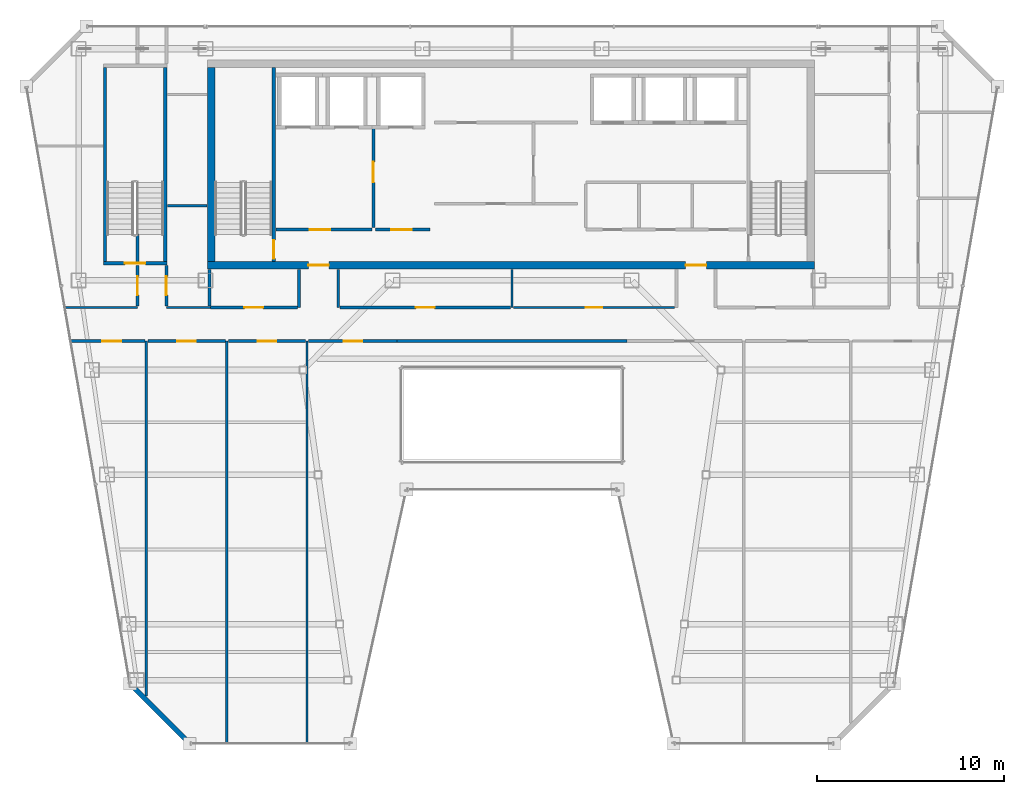
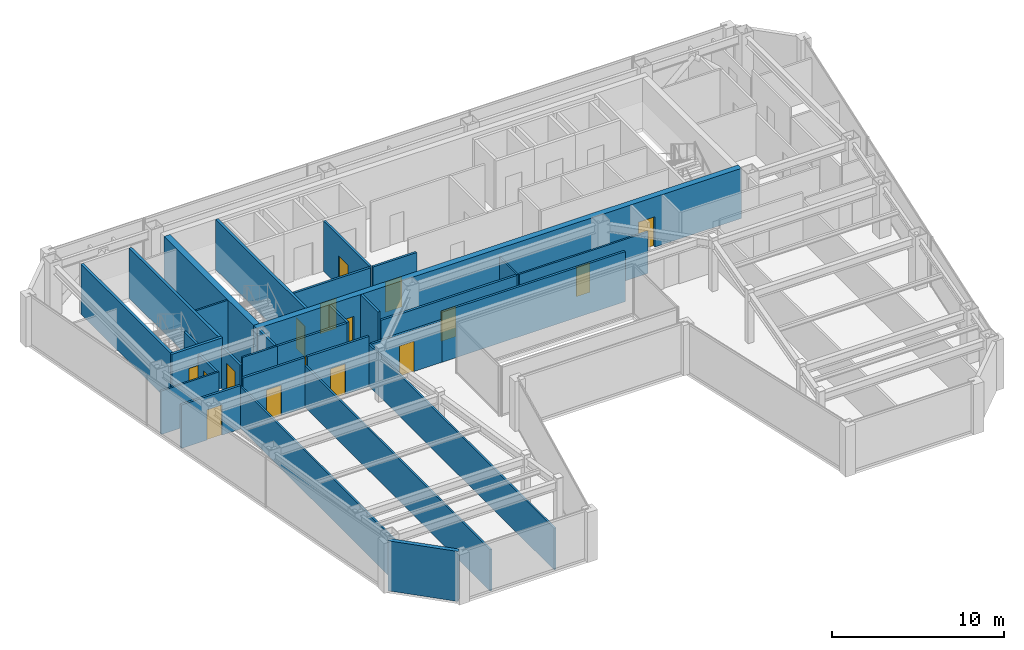
# One storey, part 26 of 33: 31 walls, 16 doors, 16 openings.
"""IFC4 building model written with IfcOpenShell, lengths in metres."""

from ifc_helpers import new_model, si_unit, direction, frame, frame_2d, origin, place, context, subcontext, project, spatial, rectangle, extrude, material, layer, layer_set, type_object, element, fill, save


model = new_model("IFC4")

# Units and contexts
model_context = context("Model", 3, precision=1e-05, world=origin(), true_north=direction((0.0, 1.0)))
body_context = subcontext(model_context, "Body", "Model", "MODEL_VIEW")
ifc_project = project(units=[si_unit("LENGTHUNIT", "METRE"), si_unit("AREAUNIT", "SQUARE_METRE"), si_unit("VOLUMEUNIT", "CUBIC_METRE"), si_unit("PLANEANGLEUNIT", "RADIAN"), si_unit("MASSUNIT", "GRAM", prefix="KILO")], contexts=[model_context])

# Site, building, storey
site_placement = place(None, origin())
site = spatial("IfcSite", under=ifc_project, at=site_placement, CompositionType="ELEMENT")
building_placement = place(site_placement, origin())
building = spatial("IfcBuilding", under=site, at=building_placement, Name="Saevonmaru Cultural Tower", CompositionType="ELEMENT")
storey_placement = place(building_placement, frame((0.0, 0.0, 234.39990234375)))
storey = spatial("IfcBuildingStorey", under=building, at=storey_placement, Name="L54", CompositionType="ELEMENT", Elevation=234.39990234375)

# Wall, openings, doors
ifc_material_1 = material(Name="Concrete C50/60", Category="concrete")
ifc_layer_1 = layer(ifc_material_1, 0.39990234375, Name="Concrete C50/60")
ifc_layer_set_1 = layer_set([ifc_layer_1], Name="Concrete C50/60")
wall_type_1 = type_object("IfcWallType", Name="WL-CORE-400", PredefinedType="SHEAR", material=ifc_layer_set_1)
wall_1_placement = place(storey_placement, frame((13.699951171875, 43.199951171875, 0.0), z_axis=(0.0, 0.0, 1.0), x_axis=(1.0, 0.0, 0.0)))
wall_1 = element("IfcWall", 1, at=wall_1_placement, inside=storey, type_object=wall_type_1, Name="L54 Tower RC core shear wall S", PredefinedType="SHEAR", context=body_context, shape_type="SweptSolid", body=[
    extrude(rectangle(XDim=32.5, YDim=0.39990234375, at=frame_2d((16.25, 0.0))), origin(), (0.0, 0.0, 1.0), 3.550048828125),
])
opening_1_placement = place(wall_1_placement, frame((5.39990234375, 0.0, 0.0)))
opening_1 = element("IfcOpeningElement", 2, at=opening_1_placement, cuts=wall_1, Name="Opening FD-2", PredefinedType="OPENING", context=body_context, shape_type="SweptSolid", body=[
    extrude(rectangle(XDim=1.10009765625, YDim=2.14990234375, at=frame_2d((0.550048828125, 1.074951171875))), frame((0.0, 0.2099609375, 0.0), z_axis=(0.0, -1.0, 0.0), x_axis=(1.0, 0.0, 0.0)), (0.0, 0.0, 1.0), 0.419921875),
])
opening_2_placement = place(wall_1_placement, frame((25.60009765625, 0.0, 0.0)))
opening_2 = element("IfcOpeningElement", 3, at=opening_2_placement, cuts=wall_1, Name="Opening FD-2", PredefinedType="OPENING", context=body_context, shape_type="SweptSolid", body=[
    extrude(rectangle(XDim=1.10009765625, YDim=2.14990234375, at=frame_2d((0.550048828125, 1.074951171875))), frame((0.0, 0.2099609375, 0.0), z_axis=(0.0, -1.0, 0.0), x_axis=(1.0, 0.0, 0.0)), (0.0, 0.0, 1.0), 0.419921875),
])
ifc_material_2 = material(Name="Satin Bronze Anodised Aluminium", Category="aluminium")
door_type_1 = type_object("IfcDoorType", Name="DR-FD60-1100", OperationType="SINGLE_SWING_LEFT", PredefinedType="DOOR", material=ifc_material_2)
door_1_placement = place(opening_1_placement, origin())
door_1 = element("IfcDoor", 4, at=door_1_placement, inside=storey, type_object=door_type_1, Name="L54 Core West Lobby Fire Door", OperationType="SINGLE_SWING_LEFT", OverallHeight=2.14990234375, OverallWidth=1.10009765625, PredefinedType="DOOR", context=body_context, shape_type="SweptSolid", body=[
    extrude(rectangle(XDim=1.10009765625, YDim=2.14990234375, at=frame_2d((0.550048828125, 1.074951171875))), frame((0.0, 0.02490234375, 0.0), z_axis=(0.0, -1.0, 0.0), x_axis=(1.0, 0.0, 0.0)), (0.0, 0.0, 1.0), 0.050048828125),
])
fill(opening_1, door_1)
door_2_placement = place(opening_2_placement, origin())
door_2 = element("IfcDoor", 5, at=door_2_placement, inside=storey, type_object=door_type_1, Name="L54 Core East Lobby Fire Door", OperationType="SINGLE_SWING_LEFT", OverallHeight=2.14990234375, OverallWidth=1.10009765625, PredefinedType="DOOR", context=body_context, shape_type="SweptSolid", body=[
    extrude(rectangle(XDim=1.10009765625, YDim=2.14990234375, at=frame_2d((0.550048828125, 1.074951171875))), frame((0.0, 0.02490234375, 0.0), z_axis=(0.0, -1.0, 0.0), x_axis=(1.0, 0.0, 0.0)), (0.0, 0.0, 1.0), 0.050048828125),
])
fill(opening_2, door_2)

# Wall
wall_2_placement = place(storey_placement, frame((13.89990234375, 43.39990234375, 0.0), z_axis=(0.0, 0.0, 1.0), x_axis=(0.0, 1.0, 0.0)))
element("IfcWall", 6, at=wall_2_placement, inside=storey, type_object=wall_type_1, Name="L54 Tower RC core shear wall W", PredefinedType="SHEAR", context=body_context, shape_type="SweptSolid", body=[
    extrude(rectangle(XDim=10.400146484375, YDim=0.39990234375, at=frame_2d((5.2001953125, 0.0))), origin(), (0.0, 0.0, 1.0), 3.550048828125),
])

# Wall, opening, door
ifc_material_3 = material(Name="Gypsum Fireboard Partition", Category="gypsum")
ifc_layer_2 = layer(ifc_material_3, 0.14990234375, Name="Gypsum Fireboard Partition")
ifc_layer_set_2 = layer_set([ifc_layer_2], Name="Gypsum Fireboard Partition")
wall_type_2 = type_object("IfcWallType", Name="WL-CORE-PART-150", PredefinedType="PARTITIONING", material=ifc_layer_set_2)
wall_3_placement = place(storey_placement, frame((17.360107421875, 45.1201171875, 0.0), z_axis=(0.0, 0.0, 1.0), x_axis=(1.0, 0.0, 0.0)))
wall_3 = element("IfcWall", 7, at=wall_3_placement, inside=storey, type_object=wall_type_2, Name="L54 Firefighting Lift Lobby South Wall", PredefinedType="PARTITIONING", context=body_context, shape_type="SweptSolid", body=[
    extrude(rectangle(XDim=5.139892578125, YDim=0.14990234375, at=frame_2d((2.56982421875, 0.0))), origin(), (0.0, 0.0, 1.0), 3.550048828125),
])
opening_3_placement = place(wall_3_placement, frame((1.800048828125, 0.0, 0.0)))
opening_3 = element("IfcOpeningElement", 8, at=opening_3_placement, cuts=wall_3, Name="Opening FD-2", PredefinedType="OPENING", context=body_context, shape_type="SweptSolid", body=[
    extrude(rectangle(XDim=1.10009765625, YDim=2.14990234375, at=frame_2d((0.550048828125, 1.074951171875))), frame((0.0, 0.0849609375, 0.0), z_axis=(0.0, -1.0, 0.0), x_axis=(1.0, 0.0, 0.0)), (0.0, 0.0, 1.0), 0.169921875),
])
door_3_placement = place(opening_3_placement, origin())
door_3 = element("IfcDoor", 9, at=door_3_placement, inside=storey, type_object=door_type_1, Name="L54 Firefighting Lift Lobby South Door", OperationType="SINGLE_SWING_LEFT", OverallHeight=2.14990234375, OverallWidth=1.10009765625, PredefinedType="DOOR", context=body_context, shape_type="SweptSolid", body=[
    extrude(rectangle(XDim=1.10009765625, YDim=2.14990234375, at=frame_2d((0.550048828125, 1.074951171875))), frame((0.0, 0.02490234375, 0.0), z_axis=(0.0, -1.0, 0.0), x_axis=(1.0, 0.0, 0.0)), (0.0, 0.0, 1.0), 0.050048828125),
])
fill(opening_3, door_3)

wall_4_placement = place(storey_placement, frame((22.580078125, 50.550048828125, 0.0), z_axis=(0.0, 0.0, 1.0), x_axis=(0.0, -1.0, 0.0)))
wall_4 = element("IfcWall", 10, at=wall_4_placement, inside=storey, type_object=wall_type_2, Name="L54 Firefighting Lift Lobby East Wall", PredefinedType="PARTITIONING", context=body_context, shape_type="SweptSolid", body=[
    extrude(rectangle(XDim=5.330078125, YDim=0.14990234375, at=frame_2d((2.6650390625, 0.0))), origin(), (0.0, 0.0, 1.0), 3.550048828125),
])
opening_4_placement = place(wall_4_placement, frame((1.800048828125, 0.0, 0.0)))
opening_4 = element("IfcOpeningElement", 11, at=opening_4_placement, cuts=wall_4, Name="Opening FD-2", PredefinedType="OPENING", context=body_context, shape_type="SweptSolid", body=[
    extrude(rectangle(XDim=1.10009765625, YDim=2.14990234375, at=frame_2d((0.550048828125, 1.074951171875))), frame((0.0, 0.0849609375, 0.0), z_axis=(0.0, -1.0, 0.0), x_axis=(1.0, 0.0, 0.0)), (0.0, 0.0, 1.0), 0.169921875),
])
door_4_placement = place(opening_4_placement, origin())
door_4 = element("IfcDoor", 12, at=door_4_placement, inside=storey, type_object=door_type_1, Name="L54 Firefighting Lift Lobby East Door", OperationType="SINGLE_SWING_LEFT", OverallHeight=2.14990234375, OverallWidth=1.10009765625, PredefinedType="DOOR", context=body_context, shape_type="SweptSolid", body=[
    extrude(rectangle(XDim=1.10009765625, YDim=2.14990234375, at=frame_2d((0.550048828125, 1.074951171875))), frame((0.0, 0.02490234375, 0.0), z_axis=(0.0, -1.0, 0.0), x_axis=(1.0, 0.0, 0.0)), (0.0, 0.0, 1.0), 0.050048828125),
])
fill(opening_4, door_4)

wall_5_placement = place(storey_placement, frame((22.679931640625, 45.1201171875, 0.0), z_axis=(0.0, 0.0, 1.0), x_axis=(1.0, 0.0, 0.0)))
wall_5 = element("IfcWall", 13, at=wall_5_placement, inside=storey, type_object=wall_type_2, Name="L54 Service Lift Vestibule Wall", PredefinedType="PARTITIONING", context=body_context, shape_type="SweptSolid", body=[
    extrude(rectangle(XDim=2.920166015625, YDim=0.14990234375, at=frame_2d((1.4599609375, 0.0))), origin(), (0.0, 0.0, 1.0), 3.550048828125),
])
opening_5_placement = place(wall_5_placement, frame((0.85009765625, 0.0, 0.0)))
opening_5 = element("IfcOpeningElement", 14, at=opening_5_placement, cuts=wall_5, Name="Opening FD-2", PredefinedType="OPENING", context=body_context, shape_type="SweptSolid", body=[
    extrude(rectangle(XDim=1.10009765625, YDim=2.14990234375, at=frame_2d((0.550048828125, 1.074951171875))), frame((0.0, 0.0849609375, 0.0), z_axis=(0.0, -1.0, 0.0), x_axis=(1.0, 0.0, 0.0)), (0.0, 0.0, 1.0), 0.169921875),
])
door_5_placement = place(opening_5_placement, origin())
door_5 = element("IfcDoor", 15, at=door_5_placement, inside=storey, type_object=door_type_1, Name="L54 Service Lift Vestibule Door", OperationType="SINGLE_SWING_LEFT", OverallHeight=2.14990234375, OverallWidth=1.10009765625, PredefinedType="DOOR", context=body_context, shape_type="SweptSolid", body=[
    extrude(rectangle(XDim=1.10009765625, YDim=2.14990234375, at=frame_2d((0.550048828125, 1.074951171875))), frame((0.0, 0.02490234375, 0.0), z_axis=(0.0, -1.0, 0.0), x_axis=(1.0, 0.0, 0.0)), (0.0, 0.0, 1.0), 0.050048828125),
])
fill(opening_5, door_5)

# Wall
ifc_material_4 = material(Name="Granite-Clad Precast Concrete C40/50", Category="masonry")
ifc_layer_3 = layer(ifc_material_4, 0.260009765625, Name="Granite-Clad Precast Concrete C40/50")
ifc_layer_set_3 = layer_set([ifc_layer_3], Name="Granite-Clad Precast Concrete C40/50")
wall_type_3 = type_object("IfcWallType", Name="WL-EXT-SPANDREL-260", PredefinedType="STANDARD", material=ifc_layer_set_3)
wall_6_placement = place(storey_placement, frame((9.659912109375, 20.68701171875, 0.0), z_axis=(0.0, 0.0, 1.0), x_axis=(0.70707775441, -0.707135806771, 0.0)))
element("IfcWall", 16, at=wall_6_placement, inside=storey, type_object=wall_type_3, Name="L54 Chamfer Corner Spandrel Wall E1", PredefinedType="STANDARD", context=body_context, shape_type="SweptSolid", body=[
    extrude(rectangle(XDim=4.20556640625, YDim=0.260009765625, at=frame_2d((2.102783203125, 0.0))), origin(), (0.0, 0.0, 1.0), 3.550048828125),
])

# Wall, opening, door
ifc_layer_4 = layer(ifc_material_3, 0.14990234375, Name="Gypsum Fireboard Partition")
ifc_layer_set_4 = layer_set([ifc_layer_4], Name="Gypsum Fireboard Partition")
wall_type_4 = type_object("IfcWallType", Name="WL-PART-FIRE-150", PredefinedType="PARTITIONING", material=ifc_layer_set_4)
wall_7_placement = place(storey_placement, frame((9.949951171875, 41.030029296875, 0.0), z_axis=(0.0, 0.0, 1.0), x_axis=(0.0, 1.0, 0.0)))
wall_7 = element("IfcWall", 17, at=wall_7_placement, inside=storey, type_object=wall_type_4, Name="L54 Chamber Rehearsal Auditorium Corridor Wall", PredefinedType="PARTITIONING", context=body_context, shape_type="SweptSolid", body=[
    extrude(rectangle(XDim=2.169921875, YDim=0.14990234375, at=frame_2d((1.0849609375, 0.0))), origin(), (0.0, 0.0, 1.0), 2.947021484375),
])
opening_6_placement = place(wall_7_placement, frame((0.5849609375, 0.0, 0.0)))
opening_6 = element("IfcOpeningElement", 18, at=opening_6_placement, cuts=wall_7, Name="Opening ID-1B", PredefinedType="OPENING", context=body_context, shape_type="SweptSolid", body=[
    extrude(rectangle(XDim=1.0, YDim=2.14990234375, at=frame_2d((0.5, 1.074951171875))), frame((0.0, 0.0849609375, 0.0), z_axis=(0.0, -1.0, 0.0), x_axis=(1.0, 0.0, 0.0)), (0.0, 0.0, 1.0), 0.169921875),
])
ifc_material_5 = material(Name="Acoustic Stained Oak Timber", Category="wood")
door_type_2 = type_object("IfcDoorType", Name="DR-INT-1000", OperationType="SINGLE_SWING_RIGHT", PredefinedType="DOOR", material=ifc_material_5)
door_6_placement = place(opening_6_placement, origin())
door_6 = element("IfcDoor", 19, at=door_6_placement, inside=storey, type_object=door_type_2, Name="L54 Chamber Rehearsal Auditorium Door", OperationType="SINGLE_SWING_LEFT", OverallHeight=2.14990234375, OverallWidth=1.0, PredefinedType="DOOR", context=body_context, shape_type="SweptSolid", body=[
    extrude(rectangle(XDim=1.0, YDim=2.14990234375, at=frame_2d((0.5, 1.074951171875))), frame((0.0, 0.02490234375, 0.0), z_axis=(0.0, -1.0, 0.0), x_axis=(1.0, 0.0, 0.0)), (0.0, 0.0, 1.0), 0.050048828125),
])
fill(opening_6, door_6)

# Wall
wall_8_placement = place(storey_placement, frame((9.949951171875, 43.419921875, 0.0), z_axis=(0.0, 0.0, 1.0), x_axis=(0.0, 1.0, 0.0)))
element("IfcWall", 20, at=wall_8_placement, inside=storey, type_object=wall_type_4, Name="L54 Chamber Rehearsal Auditorium Corridor Wall (2)", PredefinedType="PARTITIONING", context=body_context, shape_type="SweptSolid", body=[
    extrude(rectangle(XDim=1.4501953125, YDim=0.14990234375, at=frame_2d((0.72509765625, 0.0))), origin(), (0.0, 0.0, 1.0), 3.550048828125),
])

# Wall, opening, door
wall_9_placement = place(storey_placement, frame((11.5, 41.030029296875, 0.0), z_axis=(0.0, 0.0, 1.0), x_axis=(0.0, 1.0, 0.0)))
wall_9 = element("IfcWall", 21, at=wall_9_placement, inside=storey, type_object=wall_type_4, Name="L54 Media Screening Auditorium Corridor Wall", PredefinedType="PARTITIONING", context=body_context, shape_type="SweptSolid", body=[
    extrude(rectangle(XDim=2.169921875, YDim=0.14990234375, at=frame_2d((1.0849609375, 0.0))), origin(), (0.0, 0.0, 1.0), 2.947021484375),
])
opening_7_placement = place(wall_9_placement, frame((0.5849609375, 0.0, 0.0)))
opening_7 = element("IfcOpeningElement", 22, at=opening_7_placement, cuts=wall_9, Name="Opening ID-1B", PredefinedType="OPENING", context=body_context, shape_type="SweptSolid", body=[
    extrude(rectangle(XDim=1.0, YDim=2.14990234375, at=frame_2d((0.5, 1.074951171875))), frame((0.0, 0.0849609375, 0.0), z_axis=(0.0, -1.0, 0.0), x_axis=(1.0, 0.0, 0.0)), (0.0, 0.0, 1.0), 0.169921875),
])
door_7_placement = place(opening_7_placement, origin())
door_7 = element("IfcDoor", 23, at=door_7_placement, inside=storey, type_object=door_type_2, Name="L54 Media Screening Auditorium Door", OperationType="SINGLE_SWING_RIGHT", OverallHeight=2.14990234375, OverallWidth=1.0, PredefinedType="DOOR", context=body_context, shape_type="SweptSolid", body=[
    extrude(rectangle(XDim=1.0, YDim=2.14990234375, at=frame_2d((0.5, 1.074951171875))), frame((0.0, 0.02490234375, 0.0), z_axis=(0.0, -1.0, 0.0), x_axis=(1.0, 0.0, 0.0)), (0.0, 0.0, 1.0), 0.050048828125),
])
fill(opening_7, door_7)

# Walls
wall_10_placement = place(storey_placement, frame((13.800048828125, 41.030029296875, 0.0), z_axis=(0.0, 0.0, 1.0), x_axis=(0.0, 1.0, 0.0)))
element("IfcWall", 24, at=wall_10_placement, inside=storey, type_object=wall_type_4, Name="L54 Core Portal Side Wall W0", PredefinedType="PARTITIONING", context=body_context, shape_type="SweptSolid", body=[
    extrude(rectangle(XDim=1.949951171875, YDim=0.14990234375, at=frame_2d((0.97509765625, 0.0))), origin(), (0.0, 0.0, 1.0), 3.550048828125),
])
for number, where, z_axis, x_axis, name in (
    (25, (18.60009765625, 40.949951171875, 0.0), (0.0, 0.0, 1.0), (0.0, 1.0, 0.0), "L54 Core Portal Side Wall W1"),
    (26, (20.699951171875, 40.949951171875, 0.0), (0.0, 0.0, 1.0), (0.0, 1.0, 0.0), "L54 Core Portal Side Wall W2"),
):
    element("IfcWall", number, at=place(storey_placement, frame(where, z_axis=z_axis, x_axis=x_axis)), inside=storey, type_object=wall_type_4, Name=name, PredefinedType="PARTITIONING", context=body_context, shape_type="SweptSolid", body=[
        extrude(rectangle(XDim=2.030029296875, YDim=0.14990234375, at=frame_2d((1.01513671875, 0.0))), origin(), (0.0, 0.0, 1.0), 3.550048828125),
    ])

# Wall, opening, door
wall_11_placement = place(storey_placement, frame((13.85009765625, 40.949951171875, 0.0), z_axis=(0.0, 0.0, 1.0), x_axis=(1.0, 0.0, 0.0)))
wall_11 = element("IfcWall", 27, at=wall_11_placement, inside=storey, type_object=wall_type_4, Name="L54 Chamber Rehearsal Auditorium Corridor Wall", PredefinedType="PARTITIONING", context=body_context, shape_type="SweptSolid", body=[
    extrude(rectangle(XDim=4.65478515625, YDim=0.14990234375, at=frame_2d((2.327392578125, 0.0))), origin(), (0.0, 0.0, 1.0), 3.550048828125),
])
opening_8_placement = place(wall_11_placement, frame((1.826904296875, 0.0, 0.0)))
opening_8 = element("IfcOpeningElement", 28, at=opening_8_placement, cuts=wall_11, Name="Opening ID-1B", PredefinedType="OPENING", context=body_context, shape_type="SweptSolid", body=[
    extrude(rectangle(XDim=1.0, YDim=2.14990234375, at=frame_2d((0.5, 1.074951171875))), frame((0.0, 0.0849609375, 0.0), z_axis=(0.0, -1.0, 0.0), x_axis=(1.0, 0.0, 0.0)), (0.0, 0.0, 1.0), 0.169921875),
])
door_8_placement = place(opening_8_placement, origin())
door_8 = element("IfcDoor", 29, at=door_8_placement, inside=storey, type_object=door_type_2, Name="L54 Chamber Rehearsal Auditorium Door", OperationType="SINGLE_SWING_RIGHT", OverallHeight=2.14990234375, OverallWidth=1.0, PredefinedType="DOOR", context=body_context, shape_type="SweptSolid", body=[
    extrude(rectangle(XDim=1.0, YDim=2.14990234375, at=frame_2d((0.5, 1.074951171875))), frame((0.0, 0.02490234375, 0.0), z_axis=(0.0, -1.0, 0.0), x_axis=(1.0, 0.0, 0.0)), (0.0, 0.0, 1.0), 0.050048828125),
])
fill(opening_8, door_8)

wall_12_placement = place(storey_placement, frame((20.794921875, 40.949951171875, 0.0), z_axis=(0.0, 0.0, 1.0), x_axis=(1.0, 0.0, 0.0)))
wall_12 = element("IfcWall", 30, at=wall_12_placement, inside=storey, type_object=wall_type_4, Name="L54 Chamber Rehearsal Auditorium Corridor Wall", PredefinedType="PARTITIONING", context=body_context, shape_type="SweptSolid", body=[
    extrude(rectangle(XDim=9.125, YDim=0.14990234375, at=frame_2d((4.5625, 0.0))), origin(), (0.0, 0.0, 1.0), 2.947021484375),
])
opening_9_placement = place(wall_12_placement, frame((4.06201171875, 0.0, 0.0)))
opening_9 = element("IfcOpeningElement", 31, at=opening_9_placement, cuts=wall_12, Name="Opening ID-1B", PredefinedType="OPENING", context=body_context, shape_type="SweptSolid", body=[
    extrude(rectangle(XDim=1.0, YDim=2.14990234375, at=frame_2d((0.5, 1.074951171875))), frame((0.0, 0.0849609375, 0.0), z_axis=(0.0, -1.0, 0.0), x_axis=(1.0, 0.0, 0.0)), (0.0, 0.0, 1.0), 0.169921875),
])
door_9_placement = place(opening_9_placement, origin())
door_9 = element("IfcDoor", 32, at=door_9_placement, inside=storey, type_object=door_type_2, Name="L54 Chamber Rehearsal Auditorium Door", OperationType="SINGLE_SWING_LEFT", OverallHeight=2.14990234375, OverallWidth=1.0, PredefinedType="DOOR", context=body_context, shape_type="SweptSolid", body=[
    extrude(rectangle(XDim=1.0, YDim=2.14990234375, at=frame_2d((0.5, 1.074951171875))), frame((0.0, 0.02490234375, 0.0), z_axis=(0.0, -1.0, 0.0), x_axis=(1.0, 0.0, 0.0)), (0.0, 0.0, 1.0), 0.050048828125),
])
fill(opening_9, door_9)

wall_13_placement = place(storey_placement, frame((6.37109375, 39.14990234375, 0.0), z_axis=(0.0, 0.0, 1.0), x_axis=(1.0, 0.0, 0.0)))
wall_13 = element("IfcWall", 33, at=wall_13_placement, inside=storey, type_object=wall_type_4, Name="L54 Chamber Rehearsal Auditorium Corridor Wall", PredefinedType="PARTITIONING", context=body_context, shape_type="SweptSolid", body=[
    extrude(rectangle(XDim=3.968994140625, YDim=0.14990234375, at=frame_2d((1.984375, 0.0))), origin(), (0.0, 0.0, 1.0), 3.085205078125),
])
opening_10_placement = place(wall_13_placement, frame((1.7041015625, 0.0, 0.0)))
opening_10 = element("IfcOpeningElement", 34, at=opening_10_placement, cuts=wall_13, Name="Opening ID-1B", PredefinedType="OPENING", context=body_context, shape_type="SweptSolid", body=[
    extrude(rectangle(XDim=1.0, YDim=2.14990234375, at=frame_2d((0.5, 1.074951171875))), frame((0.0, 0.0849609375, 0.0), z_axis=(0.0, -1.0, 0.0), x_axis=(1.0, 0.0, 0.0)), (0.0, 0.0, 1.0), 0.169921875),
])
door_10_placement = place(opening_10_placement, origin())
door_10 = element("IfcDoor", 35, at=door_10_placement, inside=storey, type_object=door_type_2, Name="L54 Chamber Rehearsal Auditorium Door", OperationType="SINGLE_SWING_RIGHT", OverallHeight=2.14990234375, OverallWidth=1.0, PredefinedType="DOOR", context=body_context, shape_type="SweptSolid", body=[
    extrude(rectangle(XDim=1.0, YDim=2.14990234375, at=frame_2d((0.5, 1.074951171875))), frame((0.0, 0.02490234375, 0.0), z_axis=(0.0, -1.0, 0.0), x_axis=(1.0, 0.0, 0.0)), (0.0, 0.0, 1.0), 0.050048828125),
])
fill(opening_10, door_10)

wall_14_placement = place(storey_placement, frame((10.5, 39.14990234375, 0.0), z_axis=(0.0, 0.0, 1.0), x_axis=(1.0, 0.0, 0.0)))
wall_14 = element("IfcWall", 36, at=wall_14_placement, inside=storey, type_object=wall_type_4, Name="L54 Media Screening Auditorium Corridor Wall", PredefinedType="PARTITIONING", context=body_context, shape_type="SweptSolid", body=[
    extrude(rectangle(XDim=4.14990234375, YDim=0.14990234375, at=frame_2d((2.074951171875, 0.0))), origin(), (0.0, 0.0, 1.0), 3.550048828125),
])
opening_11_placement = place(wall_14_placement, frame((1.574951171875, 0.0, 0.0)))
opening_11 = element("IfcOpeningElement", 37, at=opening_11_placement, cuts=wall_14, Name="Opening ID-1B", PredefinedType="OPENING", context=body_context, shape_type="SweptSolid", body=[
    extrude(rectangle(XDim=1.0, YDim=2.14990234375, at=frame_2d((0.5, 1.074951171875))), frame((0.0, 0.0849609375, 0.0), z_axis=(0.0, -1.0, 0.0), x_axis=(1.0, 0.0, 0.0)), (0.0, 0.0, 1.0), 0.169921875),
])
door_11_placement = place(opening_11_placement, origin())
door_11 = element("IfcDoor", 38, at=door_11_placement, inside=storey, type_object=door_type_2, Name="L54 Media Screening Auditorium Door", OperationType="SINGLE_SWING_LEFT", OverallHeight=2.14990234375, OverallWidth=1.0, PredefinedType="DOOR", context=body_context, shape_type="SweptSolid", body=[
    extrude(rectangle(XDim=1.0, YDim=2.14990234375, at=frame_2d((0.5, 1.074951171875))), frame((0.0, 0.02490234375, 0.0), z_axis=(0.0, -1.0, 0.0), x_axis=(1.0, 0.0, 0.0)), (0.0, 0.0, 1.0), 0.050048828125),
])
fill(opening_11, door_11)

wall_15_placement = place(storey_placement, frame((14.81005859375, 39.14990234375, 0.0), z_axis=(0.0, 0.0, 1.0), x_axis=(1.0, 0.0, 0.0)))
wall_15 = element("IfcWall", 39, at=wall_15_placement, inside=storey, type_object=wall_type_4, Name="L54 Sound Art Screening Auditorium Corridor Wall", PredefinedType="PARTITIONING", context=body_context, shape_type="SweptSolid", body=[
    extrude(rectangle(XDim=4.139892578125, YDim=0.14990234375, at=frame_2d((2.06982421875, 0.0))), origin(), (0.0, 0.0, 1.0), 3.550048828125),
])
opening_12_placement = place(wall_15_placement, frame((1.570068359375, 0.0, 0.0)))
opening_12 = element("IfcOpeningElement", 40, at=opening_12_placement, cuts=wall_15, Name="Opening ID-1B", PredefinedType="OPENING", context=body_context, shape_type="SweptSolid", body=[
    extrude(rectangle(XDim=1.0, YDim=2.14990234375, at=frame_2d((0.5, 1.074951171875))), frame((0.0, 0.0849609375, 0.0), z_axis=(0.0, -1.0, 0.0), x_axis=(1.0, 0.0, 0.0)), (0.0, 0.0, 1.0), 0.169921875),
])
door_12_placement = place(opening_12_placement, origin())
door_12 = element("IfcDoor", 41, at=door_12_placement, inside=storey, type_object=door_type_2, Name="L54 Sound Art Screening Auditorium Door", OperationType="SINGLE_SWING_RIGHT", OverallHeight=2.14990234375, OverallWidth=1.0, PredefinedType="DOOR", context=body_context, shape_type="SweptSolid", body=[
    extrude(rectangle(XDim=1.0, YDim=2.14990234375, at=frame_2d((0.5, 1.074951171875))), frame((0.0, 0.02490234375, 0.0), z_axis=(0.0, -1.0, 0.0), x_axis=(1.0, 0.0, 0.0)), (0.0, 0.0, 1.0), 0.050048828125),
])
fill(opening_12, door_12)

wall_16_placement = place(storey_placement, frame((19.110107421875, 39.14990234375, 0.0), z_axis=(0.0, 0.0, 1.0), x_axis=(1.0, 0.0, 0.0)))
wall_16 = element("IfcWall", 42, at=wall_16_placement, inside=storey, type_object=wall_type_4, Name="L54 Chamber Rehearsal Auditorium Corridor Wall", PredefinedType="PARTITIONING", context=body_context, shape_type="SweptSolid", body=[
    extrude(rectangle(XDim=4.739990234375, YDim=0.14990234375, at=frame_2d((2.3701171875, 0.0))), origin(), (0.0, 0.0, 1.0), 2.947021484375),
])
opening_13_placement = place(wall_16_placement, frame((1.8701171875, 0.0, 0.0)))
opening_13 = element("IfcOpeningElement", 43, at=opening_13_placement, cuts=wall_16, Name="Opening ID-1B", PredefinedType="OPENING", context=body_context, shape_type="SweptSolid", body=[
    extrude(rectangle(XDim=1.0, YDim=2.14990234375, at=frame_2d((0.5, 1.074951171875))), frame((0.0, 0.0849609375, 0.0), z_axis=(0.0, -1.0, 0.0), x_axis=(1.0, 0.0, 0.0)), (0.0, 0.0, 1.0), 0.169921875),
])
door_13_placement = place(opening_13_placement, origin())
door_13 = element("IfcDoor", 44, at=door_13_placement, inside=storey, type_object=door_type_2, Name="L54 Chamber Rehearsal Auditorium Door", OperationType="SINGLE_SWING_LEFT", OverallHeight=2.14990234375, OverallWidth=1.0, PredefinedType="DOOR", context=body_context, shape_type="SweptSolid", body=[
    extrude(rectangle(XDim=1.0, YDim=2.14990234375, at=frame_2d((0.5, 1.074951171875))), frame((0.0, 0.02490234375, 0.0), z_axis=(0.0, -1.0, 0.0), x_axis=(1.0, 0.0, 0.0)), (0.0, 0.0, 1.0), 0.050048828125),
])
fill(opening_13, door_13)

# Walls
wall_17_placement = place(storey_placement, frame((23.85009765625, 39.14990234375, 0.0), z_axis=(0.0, 0.0, 1.0), x_axis=(1.0, 0.0, 0.0)))
element("IfcWall", 45, at=wall_17_placement, inside=storey, type_object=wall_type_4, Name="L54 North Atrium Corridor Wall", PredefinedType="PARTITIONING", context=body_context, shape_type="SweptSolid", body=[
    extrude(rectangle(XDim=12.2998046875, YDim=0.14990234375, at=frame_2d((6.14990234375, 0.0))), origin(), (0.0, 0.0, 1.0), 3.550048828125),
])
ifc_layer_5 = layer(ifc_material_3, 0.1201171875, Name="Gypsum Fireboard Partition")
ifc_layer_set_5 = layer_set([ifc_layer_5], Name="Gypsum Fireboard Partition")
wall_type_5 = type_object("IfcWallType", Name="WL-PART-GYP-120", PredefinedType="PARTITIONING", material=ifc_layer_set_5)
wall_18_placement = place(storey_placement, frame((6.05908203125, 40.949951171875, 0.0), z_axis=(0.0, 0.0, 1.0), x_axis=(1.0, 0.0, 0.0)))
element("IfcWall", 46, at=wall_18_placement, inside=storey, type_object=wall_type_5, Name="L54 NW Wing South Wall", PredefinedType="PARTITIONING", context=body_context, shape_type="SweptSolid", body=[
    extrude(rectangle(XDim=3.890869140625, YDim=0.1201171875, at=frame_2d((1.9453125, 0.0))), origin(), (0.0, 0.0, 1.0), 3.085205078125),
])
wall_19_placement = place(storey_placement, frame((11.5, 40.949951171875, 0.0), z_axis=(0.0, 0.0, 1.0), x_axis=(1.0, 0.0, 0.0)))
element("IfcWall", 47, at=wall_19_placement, inside=storey, type_object=wall_type_5, Name="L54 NW Inner South Wall", PredefinedType="PARTITIONING", context=body_context, shape_type="SweptSolid", body=[
    extrude(rectangle(XDim=2.35009765625, YDim=0.1201171875, at=frame_2d((1.175048828125, 0.0))), origin(), (0.0, 0.0, 1.0), 3.550048828125),
])
wall_20_placement = place(storey_placement, frame((11.550048828125, 46.39990234375, 0.0), z_axis=(0.0, 0.0, 1.0), x_axis=(1.0, 0.0, 0.0)))
element("IfcWall", 48, at=wall_20_placement, inside=storey, type_object=wall_type_5, Name="L54 NW Inner Divider", PredefinedType="PARTITIONING", context=body_context, shape_type="SweptSolid", body=[
    extrude(rectangle(XDim=2.1298828125, YDim=0.1201171875, at=frame_2d((1.06494140625, 0.0))), origin(), (0.0, 0.0, 1.0), 3.550048828125),
])
wall_21_placement = place(storey_placement, frame((30.0, 40.949951171875, 0.0), z_axis=(0.0, 0.0, 1.0), x_axis=(0.0, 1.0, 0.0)))
element("IfcWall", 49, at=wall_21_placement, inside=storey, type_object=wall_type_5, Name="L54 Spine Alcove Split", PredefinedType="PARTITIONING", context=body_context, shape_type="SweptSolid", body=[
    extrude(rectangle(XDim=2.030029296875, YDim=0.1201171875, at=frame_2d((1.01513671875, 0.0))), origin(), (0.0, 0.0, 1.0), 2.947021484375),
])

# Wall, opening, door
wall_22_placement = place(storey_placement, frame((30.080078125, 40.949951171875, 0.0), z_axis=(0.0, 0.0, 1.0), x_axis=(1.0, 0.0, 0.0)))
wall_22 = element("IfcWall", 50, at=wall_22_placement, inside=storey, type_object=wall_type_5, Name="L54 Architecture Residency Office Corridor Wall", PredefinedType="PARTITIONING", context=body_context, shape_type="SweptSolid", body=[
    extrude(rectangle(XDim=8.625, YDim=0.1201171875, at=frame_2d((4.3125, 0.0))), origin(), (0.0, 0.0, 1.0), 2.947021484375),
])
opening_14_placement = place(wall_22_placement, frame((3.862060546875, 0.0, 0.0)))
opening_14 = element("IfcOpeningElement", 51, at=opening_14_placement, cuts=wall_22, Name="Opening ID-2", PredefinedType="OPENING", context=body_context, shape_type="SweptSolid", body=[
    extrude(rectangle(XDim=0.89990234375, YDim=2.10009765625, at=frame_2d((0.449951171875, 1.050048828125))), frame((0.0, 0.070068359375, 0.0), z_axis=(0.0, -1.0, 0.0), x_axis=(1.0, 0.0, 0.0)), (0.0, 0.0, 1.0), 0.14013671875),
])
door_type_3 = type_object("IfcDoorType", Name="DR-INT-900", OperationType="SINGLE_SWING_RIGHT", PredefinedType="DOOR", material=ifc_material_5)
door_14_placement = place(opening_14_placement, origin())
door_14 = element("IfcDoor", 52, at=door_14_placement, inside=storey, type_object=door_type_3, Name="L54 Architecture Residency Office Door", OperationType="SINGLE_SWING_RIGHT", OverallHeight=2.10009765625, OverallWidth=0.89990234375, PredefinedType="DOOR", context=body_context, shape_type="SweptSolid", body=[
    extrude(rectangle(XDim=0.89990234375, YDim=2.10009765625, at=frame_2d((0.449951171875, 1.050048828125))), frame((0.0, 0.02490234375, 0.0), z_axis=(0.0, -1.0, 0.0), x_axis=(1.0, 0.0, 0.0)), (0.0, 0.0, 1.0), 0.050048828125),
])
fill(opening_14, door_14)

# Walls
wall_23_placement = place(storey_placement, frame((10.419921875, 20.138916015625, 0.0), z_axis=(0.0, 0.0, 1.0), x_axis=(0.0, 1.0, 0.0)))
element("IfcWall", 53, at=wall_23_placement, inside=storey, type_object=wall_type_5, Name="L54 West Bay Divider 1", PredefinedType="PARTITIONING", context=body_context, shape_type="SweptSolid", body=[
    extrude(rectangle(XDim=19.010986328125, YDim=0.1201171875, at=frame_2d((9.50537109375, 0.0))), origin(), (0.0, 0.0, 1.0), 2.947021484375),
])
for number, where, z_axis, x_axis, name in (
    (54, (14.72998046875, 17.60498046875, 0.0), (0.0, 0.0, 1.0), (0.0, 1.0, 0.0), "L54 West Bay Divider 2"),
    (55, (19.030029296875, 17.60498046875, 0.0), (0.0, 0.0, 1.0), (0.0, 1.0, 0.0), "L54 West Bay Divider 3"),
):
    element("IfcWall", number, at=place(storey_placement, frame(where, z_axis=z_axis, x_axis=x_axis)), inside=storey, type_object=wall_type_5, Name=name, PredefinedType="PARTITIONING", context=body_context, shape_type="SweptSolid", body=[
        extrude(rectangle(XDim=21.544921875, YDim=0.1201171875, at=frame_2d((10.7724609375, 0.0))), origin(), (0.0, 0.0, 1.0), 2.947021484375),
    ])

# Wall, opening, door
ifc_material_6 = material(Name="Concrete C40/50", Category="concrete")
ifc_layer_6 = layer(ifc_material_6, 0.179931640625, Name="Concrete C40/50")
ifc_layer_set_6 = layer_set([ifc_layer_6], Name="Concrete C40/50")
wall_type_6 = type_object("IfcWallType", Name="WL-STSHAFT-180", PredefinedType="SHEAR", material=ifc_layer_set_6)
wall_24_placement = place(storey_placement, frame((17.239990234375, 43.39990234375, 0.0), z_axis=(0.0, 0.0, 1.0), x_axis=(0.0, 1.0, 0.0)))
wall_24 = element("IfcWall", 56, at=wall_24_placement, inside=storey, type_object=wall_type_6, Name="L54 Stair ST-1 Structural Shaft Wall 1", PredefinedType="SHEAR", context=body_context, shape_type="SweptSolid", body=[
    extrude(rectangle(XDim=10.400146484375, YDim=0.179931640625, at=frame_2d((5.2001953125, 0.0))), origin(), (0.0, 0.0, 1.0), 3.550048828125),
])
opening_15_placement = place(wall_24_placement, frame((0.159912109375, 0.0, 0.0)))
opening_15 = element("IfcOpeningElement", 57, at=opening_15_placement, cuts=wall_24, Name="Opening FD-3", PredefinedType="OPENING", context=body_context, shape_type="SweptSolid", body=[
    extrude(rectangle(XDim=1.0, YDim=2.14990234375, at=frame_2d((0.5, 1.074951171875))), frame((0.0, 0.10009765625, 0.0), z_axis=(0.0, -1.0, 0.0), x_axis=(1.0, 0.0, 0.0)), (0.0, 0.0, 1.0), 0.199951171875),
])
door_type_4 = type_object("IfcDoorType", Name="DR-FD60-1000", OperationType="SINGLE_SWING_RIGHT", PredefinedType="DOOR", material=ifc_material_2)
door_15_placement = place(opening_15_placement, origin())
door_15 = element("IfcDoor", 58, at=door_15_placement, inside=storey, type_object=door_type_4, Name="L54 Protected Stair ST-1 Fire Door", OperationType="SINGLE_SWING_RIGHT", OverallHeight=2.14990234375, OverallWidth=1.0, PredefinedType="DOOR", context=body_context, shape_type="SweptSolid", body=[
    extrude(rectangle(XDim=1.0, YDim=2.14990234375, at=frame_2d((0.5, 1.074951171875))), frame((0.0, 0.02490234375, 0.0), z_axis=(0.0, -1.0, 0.0), x_axis=(1.0, 0.0, 0.0)), (0.0, 0.0, 1.0), 0.050048828125),
])
fill(opening_15, door_15)

wall_25_placement = place(storey_placement, frame((8.1201171875, 43.31005859375, 0.0), z_axis=(0.0, 0.0, 1.0), x_axis=(1.0, 0.0, 0.0)))
wall_25 = element("IfcWall", 59, at=wall_25_placement, inside=storey, type_object=wall_type_6, Name="L54 Stair ST-3 Structural Shaft Wall 1", PredefinedType="SHEAR", context=body_context, shape_type="SweptSolid", body=[
    extrude(rectangle(XDim=3.409912109375, YDim=0.179931640625, at=frame_2d((1.705078125, 0.0))), origin(), (0.0, 0.0, 1.0), 3.550048828125),
])
opening_16_placement = place(wall_25_placement, frame((1.14990234375, 0.0, 0.0)))
opening_16 = element("IfcOpeningElement", 60, at=opening_16_placement, cuts=wall_25, Name="Opening FD-2", PredefinedType="OPENING", context=body_context, shape_type="SweptSolid", body=[
    extrude(rectangle(XDim=1.10009765625, YDim=2.14990234375, at=frame_2d((0.550048828125, 1.074951171875))), frame((0.0, 0.10009765625, 0.0), z_axis=(0.0, -1.0, 0.0), x_axis=(1.0, 0.0, 0.0)), (0.0, 0.0, 1.0), 0.199951171875),
])
door_16_placement = place(opening_16_placement, origin())
door_16 = element("IfcDoor", 61, at=door_16_placement, inside=storey, type_object=door_type_1, Name="L54 Protected Stair ST-3 Fire Door", OperationType="SINGLE_SWING_LEFT", OverallHeight=2.14990234375, OverallWidth=1.10009765625, PredefinedType="DOOR", context=body_context, shape_type="SweptSolid", body=[
    extrude(rectangle(XDim=1.10009765625, YDim=2.14990234375, at=frame_2d((0.550048828125, 1.074951171875))), frame((0.0, 0.02490234375, 0.0), z_axis=(0.0, -1.0, 0.0), x_axis=(1.0, 0.0, 0.0)), (0.0, 0.0, 1.0), 0.050048828125),
])
fill(opening_16, door_16)

# Walls
for number, where, z_axis, x_axis, name in (
    (62, (11.43994140625, 43.39990234375, 0.0), (0.0, 0.0, 1.0), (0.0, 1.0, 0.0), "L54 Stair ST-3 Structural Shaft Wall 2"),
    (63, (8.2099609375, 53.800048828125, 0.0), (0.0, 0.0, 1.0), (0.0, -1.0, 0.0), "L54 Stair ST-3 Structural Shaft Wall 4"),
):
    element("IfcWall", number, at=place(storey_placement, frame(where, z_axis=z_axis, x_axis=x_axis)), inside=storey, type_object=wall_type_6, Name=name, PredefinedType="SHEAR", context=body_context, shape_type="SweptSolid", body=[
        extrude(rectangle(XDim=10.400146484375, YDim=0.179931640625, at=frame_2d((5.2001953125, 0.0))), origin(), (0.0, 0.0, 1.0), 3.550048828125),
    ])

save(model, "model.ifc")
